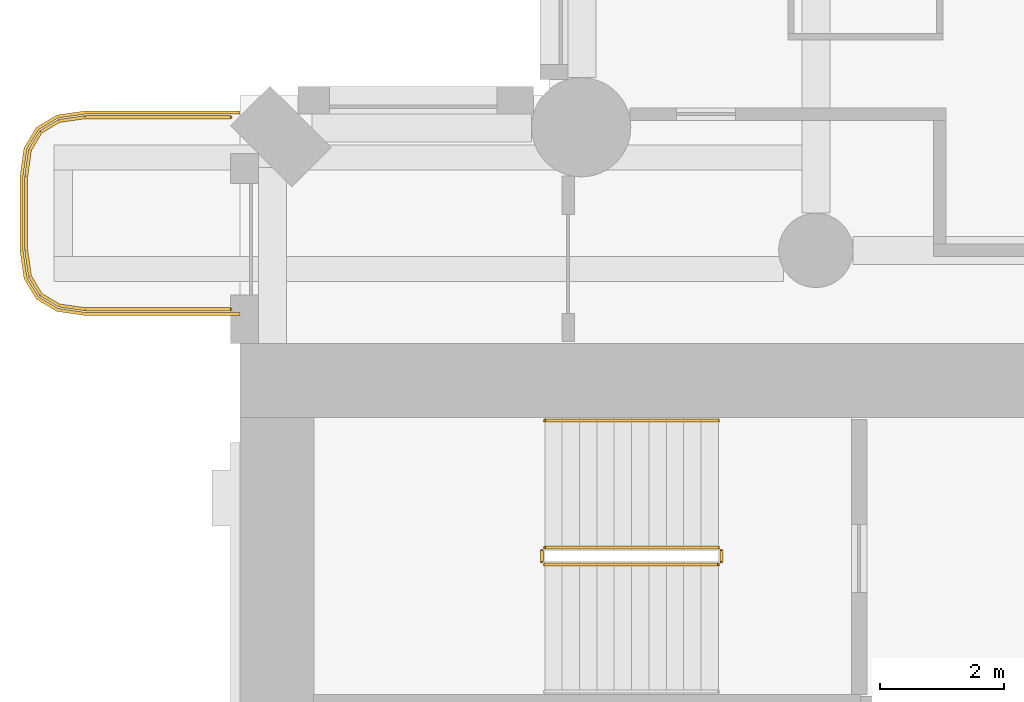
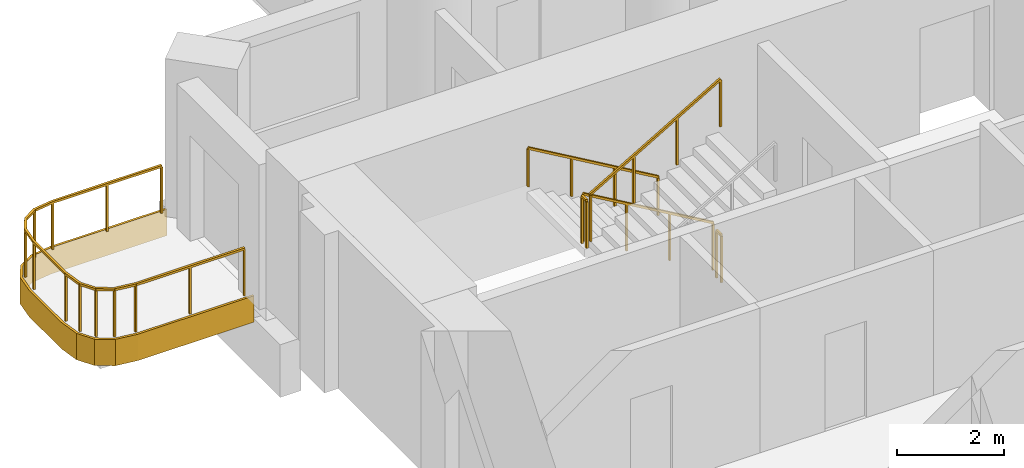
# One storey, part 17 of 20: 6 railings, 1 covering.
"""IFC4 building model written with IfcOpenShell, lengths in metres."""

from ifc_helpers import new_model, si_unit, direction, frame, origin, origin_2d, place, context, subcontext, project, spatial, polyline, rectangle, outline, extrude, material, layer, layer_set, type_object, element, save


model = new_model("IFC4")

# Units and contexts
model_context = context("Model", 3, precision=1e-05, world=origin(), true_north=direction((0.0, 1.0)))
body_context = subcontext(model_context, "Body", "Model", "MODEL_VIEW")
ifc_project = project(units=[si_unit("LENGTHUNIT", "METRE"), si_unit("AREAUNIT", "SQUARE_METRE"), si_unit("VOLUMEUNIT", "CUBIC_METRE"), si_unit("PLANEANGLEUNIT", "RADIAN"), si_unit("MASSUNIT", "GRAM", prefix="KILO")], contexts=[model_context])

# Site, building, storey
site_placement = place(None, origin())
site = spatial("IfcSite", under=ifc_project, at=site_placement, CompositionType="ELEMENT")
building_placement = place(site_placement, origin())
building = spatial("IfcBuilding", under=site, at=building_placement, Name="Cypress Arch Tower", CompositionType="ELEMENT")
storey_placement = place(building_placement, frame((0.0, 0.0, 95.10009765625)))
storey = spatial("IfcBuildingStorey", under=building, at=storey_placement, Name="L18", CompositionType="ELEMENT", Elevation=95.10009765625)

# Covering
ifc_material_1 = material(Name="White powder-coated aluminium fascia", Category="aluminium")
ifc_layer = layer(ifc_material_1, 0.050048828125)
ifc_layer_set = layer_set([ifc_layer], Name="Balcony fascia BF50")
covering_type = type_object("IfcCoveringType", Name="Balcony fascia BF50", PredefinedType="CLADDING", material=ifc_layer_set)
covering_placement = place(storey_placement, frame((0.0, 0.0, -0.60009765625)))
element("IfcCovering", 1, at=covering_placement, inside=storey, type_object=covering_type, Name="Balcony fascia L18-A00W0", PredefinedType="CLADDING", context=body_context, shape_type="SweptSolid", body=[
    extrude(outline(polyline([(-32.503662109375, 16.449951171875), (-32.95458984375, 16.514404296875), (-33.286376953125, 16.713623046875), (-33.485595703125, 17.04541015625), (-33.550048828125, 17.496337890625), (-33.550048828125, 18.70361328125), (-33.485595703125, 19.154541015625), (-33.286376953125, 19.486328125), (-32.95458984375, 19.685546875), (-32.503662109375, 19.75), (-30.0009765625, 19.75), (-30.0009765625, 19.699951171875), (-32.5, 19.699951171875), (-32.9375, 19.637451171875), (-33.25, 19.449951171875), (-33.4375, 19.137451171875), (-33.5, 18.699951171875), (-33.5, 17.5), (-33.4375, 17.0625), (-33.25, 16.75), (-32.9375, 16.5625), (-32.5, 16.5), (-30.0009765625, 16.5), (-30.0009765625, 16.449951171875), (-32.503662109375, 16.449951171875)])), origin(), (0.0, 0.0, 1.0), 0.60009765625),
])

# Railings
ifc_material_2 = material(Name="Powder-coated steel posts and rods, 100 mm clear between rods", Category="steel")
railing_type_1 = type_object("IfcRailingType", Name="Balcony guard GR1100", PredefinedType="GUARDRAIL", material=ifc_material_2)
railing_1_placement = place(storey_placement, frame((-30.14990234375, 16.550048828125, 0.0)))
element("IfcRailing", 2, at=railing_1_placement, inside=storey, type_object=railing_type_1, Name="Balcony guard L18-A00W0", PredefinedType="GUARDRAIL", context=body_context, shape_type="SweptSolid", body=[
    extrude(rectangle(XDim=0.050048828125, YDim=0.050048828125, at=origin_2d()), frame((0.0, 0.0, 1.0751953125), z_axis=(-1.0, 0.0, 0.0), x_axis=(0.0, -1.0, 0.0)), (0.0, 0.0, 1.0), 2.346435546875),
    extrude(rectangle(XDim=0.050048828125, YDim=0.050048828125, at=origin_2d()), frame((-2.346435546875, 0.0, 1.0751953125), z_axis=(-0.989960888959, 0.141341566184, 0.0), x_axis=(-0.141341566184, -0.989960888959, 0.0)), (0.0, 0.0, 1.0), 0.428466796875),
    extrude(rectangle(XDim=0.050048828125, YDim=0.050048828125, at=origin_2d()), frame((-2.7705078125, 0.060546875, 1.0751953125), z_axis=(-0.857681904839, 0.514180659021, 0.0), x_axis=(-0.514180659021, -0.857681904839, 0.0)), (0.0, 0.0, 1.0), 0.341796875),
    extrude(rectangle(XDim=0.050048828125, YDim=0.050048828125, at=origin_2d()), frame((-3.063720703125, 0.236328125, 1.0751953125), z_axis=(-0.514180659021, 0.857681904839, 0.0), x_axis=(-0.857681904839, -0.514180659021, 0.0)), (0.0, 0.0, 1.0), 0.341796875),
    extrude(rectangle(XDim=0.050048828125, YDim=0.050048828125, at=origin_2d()), frame((-3.239501953125, 0.529541015625, 1.0751953125), z_axis=(-0.141341566184, 0.989960888959, 0.0), x_axis=(-0.989960888959, -0.141341566184, 0.0)), (0.0, 0.0, 1.0), 0.428466796875),
    extrude(rectangle(XDim=0.050048828125, YDim=0.050048828125, at=origin_2d()), frame((-3.300048828125, 0.95361328125, 1.0751953125), z_axis=(0.0, 1.0, 0.0), x_axis=(-1.0, 0.0, 0.0)), (0.0, 0.0, 1.0), 1.19287109375),
    extrude(rectangle(XDim=0.050048828125, YDim=0.050048828125, at=origin_2d()), frame((-3.300048828125, 2.146484375, 1.0751953125), z_axis=(0.141421356237, 0.989949493661, 0.0), x_axis=(-0.989949493661, 0.141421356237, 0.0)), (0.0, 0.0, 1.0), 0.42822265625),
    extrude(rectangle(XDim=0.050048828125, YDim=0.050048828125, at=origin_2d()), frame((-3.239501953125, 2.5703125, 1.0751953125), z_axis=(0.514180659021, 0.857681904839, 0.0), x_axis=(-0.857681904839, 0.514180659021, 0.0)), (0.0, 0.0, 1.0), 0.341796875),
    extrude(rectangle(XDim=0.050048828125, YDim=0.050048828125, at=origin_2d()), frame((-3.063720703125, 2.863525390625, 1.0751953125), z_axis=(0.857681904839, 0.514180659021, 0.0), x_axis=(-0.514180659021, 0.857681904839, 0.0)), (0.0, 0.0, 1.0), 0.341796875),
    extrude(rectangle(XDim=0.050048828125, YDim=0.050048828125, at=origin_2d()), frame((-2.7705078125, 3.039306640625, 1.0751953125), z_axis=(0.989960888959, 0.141341566184, 0.0), x_axis=(-0.141341566184, 0.989960888959, 0.0)), (0.0, 0.0, 1.0), 0.428466796875),
    extrude(rectangle(XDim=0.050048828125, YDim=0.050048828125, at=origin_2d()), frame((-2.346435546875, 3.099853515625, 1.0751953125), z_axis=(1.0, 0.0, 0.0), x_axis=(0.0, 1.0, 0.0)), (0.0, 0.0, 1.0), 2.346435546875),
    extrude(rectangle(XDim=0.0400390625, YDim=0.0400390625, at=origin_2d()), origin(), (0.0, 0.0, 1.0), 1.050048828125),
    extrude(rectangle(XDim=0.0400390625, YDim=0.0400390625, at=origin_2d()), frame((-1.17333984375, 0.0, 0.0)), (0.0, 0.0, 1.0), 1.050048828125),
    extrude(rectangle(XDim=0.0400390625, YDim=0.0400390625, at=origin_2d()), frame((-2.346435546875, 0.0, 0.0)), (0.0, 0.0, 1.0), 1.050048828125),
    extrude(rectangle(XDim=0.0400390625, YDim=0.0400390625, at=origin_2d()), frame((-2.7705078125, 0.060546875, 0.0)), (0.0, 0.0, 1.0), 1.050048828125),
    extrude(rectangle(XDim=0.0400390625, YDim=0.0400390625, at=origin_2d()), frame((-3.063720703125, 0.236328125, 0.0)), (0.0, 0.0, 1.0), 1.050048828125),
    extrude(rectangle(XDim=0.0400390625, YDim=0.0400390625, at=origin_2d()), frame((-3.239501953125, 0.529541015625, 0.0)), (0.0, 0.0, 1.0), 1.050048828125),
    extrude(rectangle(XDim=0.0400390625, YDim=0.0400390625, at=origin_2d()), frame((-3.300048828125, 0.95361328125, 0.0)), (0.0, 0.0, 1.0), 1.050048828125),
    extrude(rectangle(XDim=0.0400390625, YDim=0.0400390625, at=origin_2d()), frame((-3.300048828125, 2.146484375, 0.0)), (0.0, 0.0, 1.0), 1.050048828125),
    extrude(rectangle(XDim=0.0400390625, YDim=0.0400390625, at=origin_2d()), frame((-3.239501953125, 2.5703125, 0.0)), (0.0, 0.0, 1.0), 1.050048828125),
    extrude(rectangle(XDim=0.0400390625, YDim=0.0400390625, at=origin_2d()), frame((-3.063720703125, 2.863525390625, 0.0)), (0.0, 0.0, 1.0), 1.050048828125),
    extrude(rectangle(XDim=0.0400390625, YDim=0.0400390625, at=origin_2d()), frame((-2.7705078125, 3.039306640625, 0.0)), (0.0, 0.0, 1.0), 1.050048828125),
    extrude(rectangle(XDim=0.0400390625, YDim=0.0400390625, at=origin_2d()), frame((-2.346435546875, 3.099853515625, 0.0)), (0.0, 0.0, 1.0), 1.050048828125),
    extrude(rectangle(XDim=0.0400390625, YDim=0.0400390625, at=origin_2d()), frame((-1.17333984375, 3.099853515625, 0.0)), (0.0, 0.0, 1.0), 1.050048828125),
    extrude(rectangle(XDim=0.0400390625, YDim=0.0400390625, at=origin_2d()), frame((0.0, 3.099853515625, 0.0)), (0.0, 0.0, 1.0), 1.050048828125),
])
ifc_material_3 = material(Name="Black powder-coated steel square bar 48 mm", Category="steel")
railing_type_2 = type_object("IfcRailingType", Name="Stair handrail HR1", PredefinedType="HANDRAIL", material=ifc_material_3)
railing_2_placement = place(storey_placement, frame((-22.27490234375, 14.75, 0.16357421875)))
element("IfcRailing", 3, at=railing_2_placement, inside=storey, type_object=railing_type_2, Name="L18 B stair handrail 1", PredefinedType="HANDRAIL", context=body_context, shape_type="SweptSolid", body=[
    extrude(rectangle(XDim=0.048095703125, YDim=0.048095703125, at=origin_2d()), frame((0.0, 0.0, 0.8759765625), z_axis=(-0.863393664356, 0.0, 0.504530851732), x_axis=(0.0, -1.0, 0.0)), (0.0, 0.0, 1.0), 3.2431640625),
    extrude(rectangle(XDim=0.0419921875, YDim=0.0419921875, at=origin_2d()), origin(), (0.0, 0.0, 1.0), 0.851806640625),
    extrude(rectangle(XDim=0.0419921875, YDim=0.0419921875, at=origin_2d()), frame((-0.933349609375, 0.0, 0.54541015625)), (0.0, 0.0, 1.0), 0.851806640625),
    extrude(rectangle(XDim=0.0419921875, YDim=0.0419921875, at=origin_2d()), frame((-1.86669921875, 0.0, 1.0908203125)), (0.0, 0.0, 1.0), 0.851806640625),
    extrude(rectangle(XDim=0.0419921875, YDim=0.0419921875, at=origin_2d()), frame((-2.800048828125, 0.0, 1.63623046875)), (0.0, 0.0, 1.0), 0.851806640625),
])
ifc_material_4 = material(Name="Black powder-coated steel balusters", Category="steel")
railing_type_3 = type_object("IfcRailingType", Name="Stair well guard G1", PredefinedType="GUARDRAIL", material=ifc_material_4)
railing_3_placement = place(storey_placement, frame((-22.27490234375, 12.699951171875, 0.16357421875)))
element("IfcRailing", 4, at=railing_3_placement, inside=storey, type_object=railing_type_3, Name="L18 B stair guard 1", PredefinedType="GUARDRAIL", context=body_context, shape_type="SweptSolid", body=[
    extrude(rectangle(XDim=0.048095703125, YDim=0.048095703125, at=origin_2d()), frame((0.0, 0.0, 1.076171875), z_axis=(-0.863393664356, 0.0, 0.504530851732), x_axis=(0.0, -1.0, 0.0)), (0.0, 0.0, 1.0), 3.2431640625),
    extrude(rectangle(XDim=0.0419921875, YDim=0.0419921875, at=origin_2d()), origin(), (0.0, 0.0, 1.0), 1.052001953125),
    extrude(rectangle(XDim=0.0419921875, YDim=0.0419921875, at=origin_2d()), frame((-0.933349609375, 0.0, 0.54541015625)), (0.0, 0.0, 1.0), 1.052001953125),
    extrude(rectangle(XDim=0.0419921875, YDim=0.0419921875, at=origin_2d()), frame((-1.86669921875, 0.0, 1.0908203125)), (0.0, 0.0, 1.0), 1.052001953125),
    extrude(rectangle(XDim=0.0419921875, YDim=0.0419921875, at=origin_2d()), frame((-2.800048828125, 0.0, 1.63623046875)), (0.0, 0.0, 1.0), 1.052001953125),
])
railing_4_placement = place(storey_placement, frame((-25.125, 12.64990234375, 1.7998046875)))
element("IfcRailing", 5, at=railing_4_placement, inside=storey, type_object=railing_type_3, Name="L18 B stair guard 2", PredefinedType="GUARDRAIL", context=body_context, shape_type="SweptSolid", body=[
    extrude(rectangle(XDim=0.048095703125, YDim=0.048095703125, at=origin_2d()), frame((0.0, 0.0, 1.076171875), z_axis=(0.0, -1.0, 0.0), x_axis=(1.0, 0.0, 0.0)), (0.0, 0.0, 1.0), 0.1748046875),
    extrude(rectangle(XDim=0.0419921875, YDim=0.0419921875, at=origin_2d()), origin(), (0.0, 0.0, 1.0), 1.052001953125),
    extrude(rectangle(XDim=0.0419921875, YDim=0.0419921875, at=origin_2d()), frame((0.0, -0.1748046875, 0.0)), (0.0, 0.0, 1.0), 1.052001953125),
])
railing_5_placement = place(storey_placement, frame((-25.074951171875, 12.425048828125, 1.963623046875)))
element("IfcRailing", 6, at=railing_5_placement, inside=storey, type_object=railing_type_3, Name="L18 B stair guard 3", PredefinedType="GUARDRAIL", context=body_context, shape_type="SweptSolid", body=[
    extrude(rectangle(XDim=0.048095703125, YDim=0.048095703125, at=origin_2d()), frame((0.0, 0.0, 1.076171875), z_axis=(0.863393664356, 0.0, 0.504530851732), x_axis=(0.0, 1.0, 0.0)), (0.0, 0.0, 1.0), 3.2431640625),
    extrude(rectangle(XDim=0.0419921875, YDim=0.0419921875, at=origin_2d()), origin(), (0.0, 0.0, 1.0), 1.052001953125),
    extrude(rectangle(XDim=0.0419921875, YDim=0.0419921875, at=origin_2d()), frame((0.933349609375, 0.0, 0.54541015625)), (0.0, 0.0, 1.0), 1.052001953125),
    extrude(rectangle(XDim=0.0419921875, YDim=0.0419921875, at=origin_2d()), frame((1.86669921875, 0.0, 1.0908203125)), (0.0, 0.0, 1.0), 1.052001953125),
    extrude(rectangle(XDim=0.0419921875, YDim=0.0419921875, at=origin_2d()), frame((2.800048828125, 0.0, 1.63623046875)), (0.0, 0.0, 1.0), 1.052001953125),
])
railing_6_placement = place(storey_placement, frame((-22.22509765625, 12.64990234375, 0.0)))
element("IfcRailing", 7, at=railing_6_placement, inside=storey, type_object=railing_type_3, Name="L18 B stair guard 4", PredefinedType="GUARDRAIL", context=body_context, shape_type="SweptSolid", body=[
    extrude(rectangle(XDim=0.048095703125, YDim=0.048095703125, at=origin_2d()), frame((0.0, 0.0, 1.076171875), z_axis=(0.0, -1.0, 0.0), x_axis=(1.0, 0.0, 0.0)), (0.0, 0.0, 1.0), 0.1748046875),
    extrude(rectangle(XDim=0.0419921875, YDim=0.0419921875, at=origin_2d()), origin(), (0.0, 0.0, 1.0), 1.052001953125),
    extrude(rectangle(XDim=0.0419921875, YDim=0.0419921875, at=origin_2d()), frame((0.0, -0.1748046875, 0.0)), (0.0, 0.0, 1.0), 1.052001953125),
])

save(model, "model.ifc")
